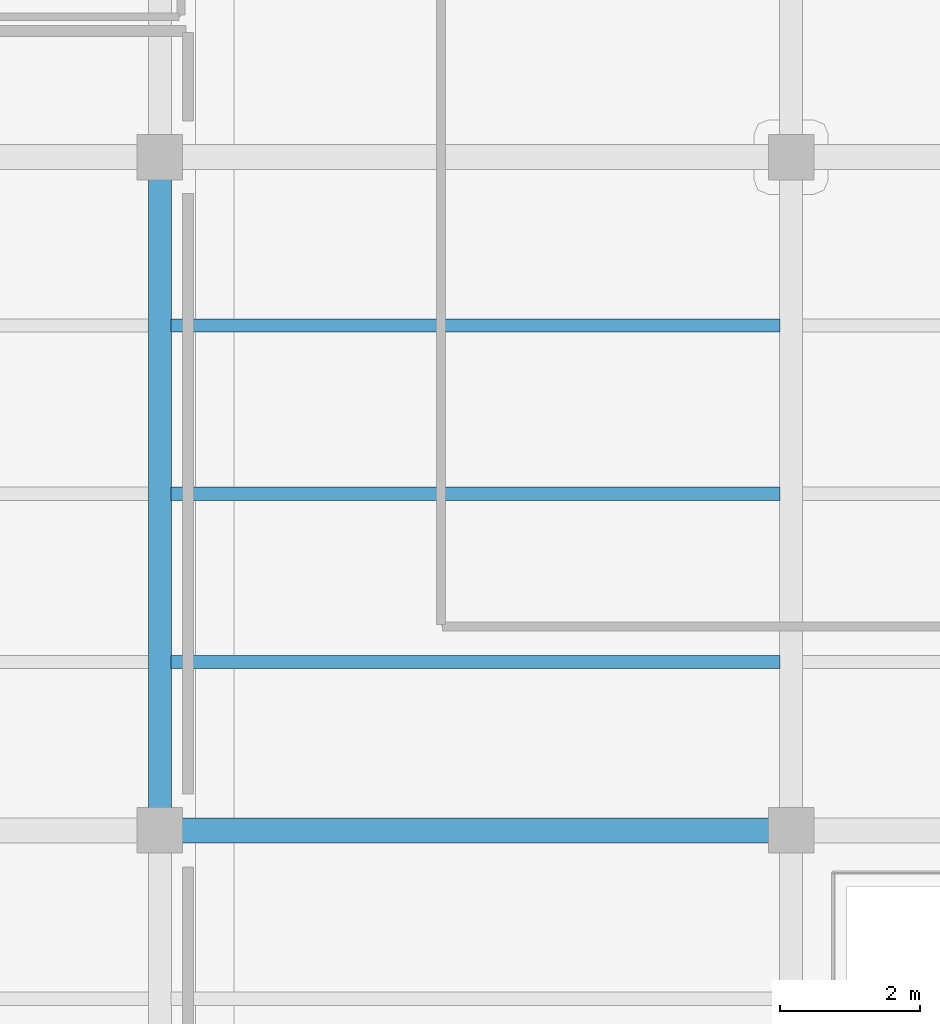
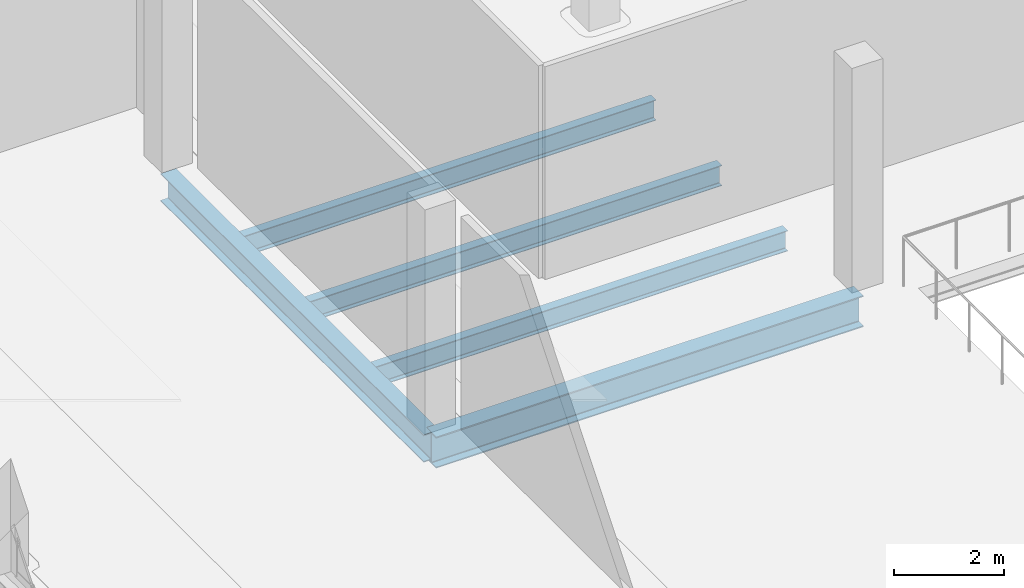
# One storey, part 12 of 46: 5 beams.
"""IFC4 building model written with IfcOpenShell, lengths in metres."""

from ifc_helpers import new_model, si_unit, direction, frame, origin, origin_2d, place, context, subcontext, project, spatial, i_section, extrude, material, material_profile, profile_set, type_object, element, save


model = new_model("IFC4")

# Units and contexts
model_context = context("Model", 3, precision=1e-05, world=origin(), true_north=direction((0.0, 1.0)))
body_context = subcontext(model_context, "Body", "Model", "MODEL_VIEW")
ifc_project = project(units=[si_unit("LENGTHUNIT", "METRE"), si_unit("AREAUNIT", "SQUARE_METRE"), si_unit("VOLUMEUNIT", "CUBIC_METRE"), si_unit("PLANEANGLEUNIT", "RADIAN"), si_unit("MASSUNIT", "GRAM", prefix="KILO")], contexts=[model_context])

# Site, building, storey
site_placement = place(None, origin())
site = spatial("IfcSite", under=ifc_project, at=site_placement, CompositionType="ELEMENT")
building_placement = place(site_placement, origin())
building = spatial("IfcBuilding", under=site, at=building_placement, Name="Qorvath Tower", CompositionType="ELEMENT")
storey_placement = place(building_placement, frame((0.0, 0.0, 17.0)))
storey = spatial("IfcBuildingStorey", under=building, at=storey_placement, Name="L03", CompositionType="ELEMENT", Elevation=17.0)

# Beams
ifc_material_1 = material(Name="Steel ASTM A992 Grade 50", Category="steel")
ifc_material_profile_1 = material_profile(ifc_material_1, i_section(OverallWidth=0.35595703125, OverallDepth=0.696044921875, WebThickness=0.015380859375, FlangeThickness=0.02490234375, FilletRadius=0.01806640625, at=origin_2d()), Name="W27x146")
ifc_profile_set_1 = profile_set([ifc_material_profile_1], Name="Steel ASTM A992 Grade 50")
beam_type_1 = type_object("IfcBeamType", Name="BM-FG4", PredefinedType="BEAM", material=ifc_profile_set_1)
beam_1_placement = place(storey_placement, frame((41.39990234375, 9.60009765625, -0.60791015625), z_axis=(1.0, 0.0, 0.0), x_axis=(0.0, 1.0, 0.0)))
element("IfcBeam", 1, at=beam_1_placement, inside=storey, type_object=beam_type_1, Name="Library E-W Girder L03-6-2", PredefinedType="BEAM", context=body_context, shape_type="SweptSolid", body=[
    extrude(i_section(OverallWidth=0.35595703125, OverallDepth=0.696044921875, WebThickness=0.015380859375, FlangeThickness=0.02490234375, FilletRadius=0.01806640625, at=origin_2d()), origin(), (0.0, 0.0, 1.0), 9.0),
])
ifc_material_2 = material(Name="Steel ASTM A992 Grade 50", Category="steel")
ifc_material_profile_2 = material_profile(ifc_material_2, i_section(OverallWidth=0.324951171875, OverallDepth=0.615966796875, WebThickness=0.013916015625, FlangeThickness=0.021484375, FilletRadius=0.01611328125, at=origin_2d()), Name="W24x117")
ifc_profile_set_2 = profile_set([ifc_material_profile_2], Name="Steel ASTM A992 Grade 50")
beam_type_2 = type_object("IfcBeamType", Name="BM-FG5", PredefinedType="BEAM", material=ifc_profile_set_2)
beam_2_placement = place(storey_placement, frame((41.39990234375, 9.60009765625, -0.568115234375), z_axis=(0.0, 1.0, 0.0), x_axis=(-1.0, 0.0, 0.0)))
element("IfcBeam", 2, at=beam_2_placement, inside=storey, type_object=beam_type_2, Name="Library N-S Girder L03-2-6", PredefinedType="BEAM", context=body_context, shape_type="SweptSolid", body=[
    extrude(i_section(OverallWidth=0.324951171875, OverallDepth=0.615966796875, WebThickness=0.013916015625, FlangeThickness=0.021484375, FilletRadius=0.01611328125, at=origin_2d()), origin(), (0.0, 0.0, 1.0), 9.599853515625),
])
ifc_material_3 = material(Name="Steel ASTM A992 Grade 50", Category="steel")
ifc_material_profile_3 = material_profile(ifc_material_3, i_section(OverallWidth=0.18994140625, OverallDepth=0.45703125, WebThickness=0.009033203125, FlangeThickness=0.014404296875, FilletRadius=0.011962890625, at=origin_2d()), Name="W18x50")
ifc_profile_set_3 = profile_set([ifc_material_profile_3], Name="Steel ASTM A992 Grade 50")
beam_type_3 = type_object("IfcBeamType", Name="BM-FJ2", PredefinedType="JOIST", material=ifc_profile_set_3)
for number, where, z_axis, x_axis, name in (
    (3, (41.560546875, 12.0, -0.488525390625), (1.0, 0.0, 0.0), (0.0, 1.0, 0.0), "Library Stack Joist L03-6.1-2"),
    (4, (41.560546875, 14.39990234375, -0.488525390625), (1.0, 0.0, 0.0), (0.0, 1.0, 0.0), "Library Stack Joist L03-6.2-2"),
    (5, (41.560546875, 16.800048828125, -0.488525390625), (1.0, 0.0, 0.0), (0.0, 1.0, 0.0), "Library Stack Joist L03-6.3-2"),
):
    element("IfcBeam", number, at=place(storey_placement, frame(where, z_axis=z_axis, x_axis=x_axis)), inside=storey, type_object=beam_type_3, Name=name, PredefinedType="JOIST", context=body_context, shape_type="SweptSolid", body=[
        extrude(i_section(OverallWidth=0.18994140625, OverallDepth=0.45703125, WebThickness=0.009033203125, FlangeThickness=0.014404296875, FilletRadius=0.011962890625, at=origin_2d()), origin(), (0.0, 0.0, 1.0), 8.678955078125),
    ])

save(model, "model.ifc")
